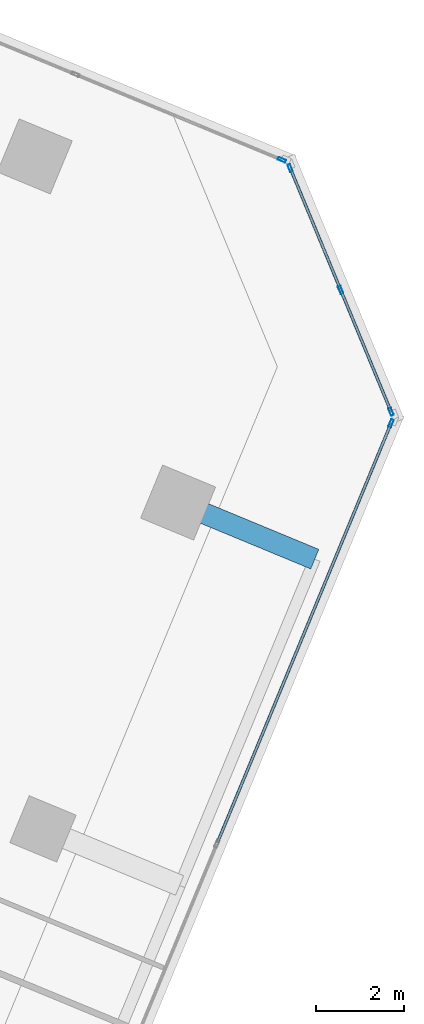
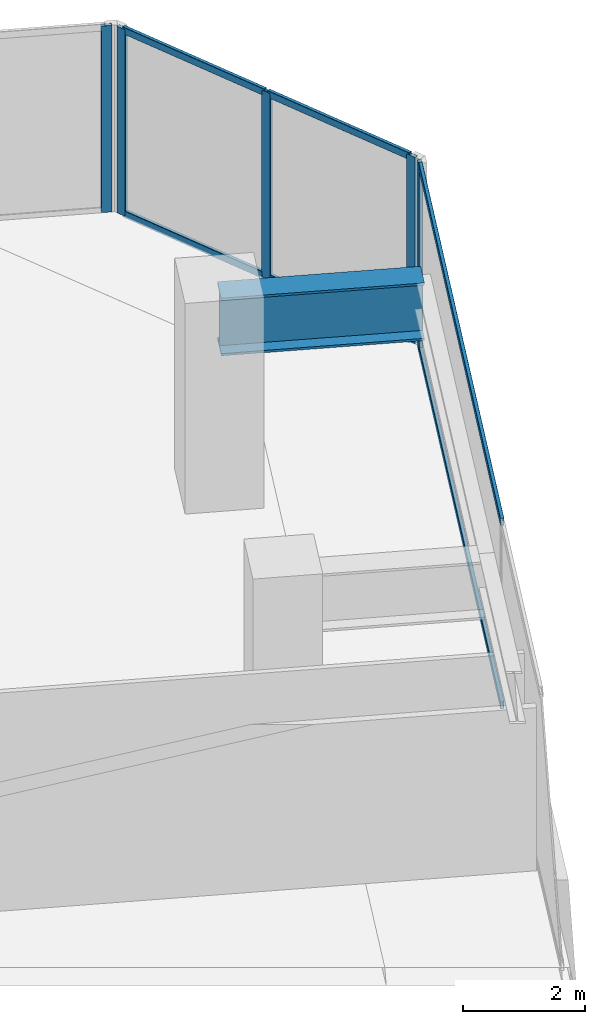
# One storey, part 11 of 24: 11 members, 1 beam, 3 elements without a shape of their own.
"""IFC4 building model written with IfcOpenShell, lengths in metres."""

from ifc_helpers import new_model, si_unit, direction, frame, origin, origin_2d, place, context, subcontext, project, spatial, hollow_rectangle, i_section, extrude, source, transform, mapped, material, material_profile, profile_set, type_object, element, aggregate, save


model = new_model("IFC4")

# Units and contexts
model_context = context("Model", 3, precision=1e-05, world=origin(), true_north=direction((0.0, 1.0)))
body_context = subcontext(model_context, "Body", "Model", "MODEL_VIEW")
ifc_project = project(units=[si_unit("LENGTHUNIT", "METRE"), si_unit("AREAUNIT", "SQUARE_METRE"), si_unit("VOLUMEUNIT", "CUBIC_METRE"), si_unit("PLANEANGLEUNIT", "RADIAN"), si_unit("MASSUNIT", "GRAM", prefix="KILO")], contexts=[model_context])

# Site, building, storey
site_placement = place(None, origin())
site = spatial("IfcSite", under=ifc_project, at=site_placement, CompositionType="ELEMENT")
building_placement = place(site_placement, origin())
building = spatial("IfcBuilding", under=site, at=building_placement, Name="Torre Montelarca", CompositionType="ELEMENT")
storey_placement = place(building_placement, frame((0.0, 0.0, 141.39990234375)))
storey = spatial("IfcBuildingStorey", under=building, at=storey_placement, Name="L31", CompositionType="ELEMENT", Elevation=141.39990234375)

# Beam
ifc_material_1 = material(Name="Steel ASTM A572 Grade 50", Category="steel")
ifc_material_profile_1 = material_profile(ifc_material_1, i_section(OverallWidth=0.47998046875, OverallDepth=1.14990234375, WebThickness=0.02197265625, FlangeThickness=0.044921875, at=origin_2d()), Name="PG1150X480X22X45", Category="steel")
ifc_profile_set_1 = profile_set([ifc_material_profile_1], Name="Steel ASTM A572 Grade 50")
beam_type = type_object("IfcBeamType", Name="BM-CG-PG1400-EXT", PredefinedType="USERDEFINED", material=ifc_profile_set_1)
shared_shape_1 = source(origin(), body_context, "Body", "SweptSolid", [
    extrude(i_section(OverallWidth=0.47998046875, OverallDepth=1.14990234375, WebThickness=0.02197265625, FlangeThickness=0.044921875, at=origin_2d()), origin(), (0.0, 0.0, 1.0), 3.35009765625),
])
beam_placement = place(storey_placement, frame((49.044189453125, 29.25, 3.385009765625), z_axis=(0.923889826287, -0.382658580047, 0.0), x_axis=(0.382658580047, 0.923889826287, 0.0)))
element("IfcBeam", 1, at=beam_placement, inside=storey, type_object=beam_type, Name="L31 Sliding Tray Cantilever Girder East Y=40m (FLR)", ObjectType="CANTILEVER GIRDER", PredefinedType="USERDEFINED", context=body_context, shape_type="MappedRepresentation", body=[
    mapped(shared_shape_1, transform((0.0, 0.0, 0.0), scale=1.0)),
])

# Curtain wall, members
ifc_material_2 = material(Name="Insulated low-E laminated glass", Category="glass")
curtain_wall_type = type_object("IfcCurtainWallType", Name="CW-SYS-Z2", PredefinedType="USERDEFINED", material=ifc_material_2)
curtain_wall_1_placement = place(storey_placement, origin())
curtain_wall_1 = element("IfcCurtainWall", 2, at=curtain_wall_1_placement, inside=storey, type_object=curtain_wall_type, Name="L31 Curtain Wall Run CW-T3-L31-E07-B1", ObjectType="UNITISED GLAZING", PredefinedType="USERDEFINED")
ifc_material_3 = material(Name="Anodised aluminium AA 6063-T6", Category="aluminium")
ifc_material_profile_2 = material_profile(ifc_material_3, hollow_rectangle(XDim=0.06494140625, YDim=0.139892578125, WallThickness=0.00390625, InnerFilletRadius=0.00390625, OuterFilletRadius=0.008056640625, at=origin_2d()), Name="ALU65X140X4", Category="aluminium")
ifc_profile_set_2 = profile_set([ifc_material_profile_2], Name="Anodised aluminium AA 6063-T6")
member_type_1 = type_object("IfcMemberType", Name="CWT-ALU140", PredefinedType="USERDEFINED", material=ifc_profile_set_2)
shared_shape_2 = source(origin(), body_context, "Body", "SweptSolid", [
    extrude(hollow_rectangle(XDim=0.06494140625, YDim=0.139892578125, WallThickness=0.00390625, InnerFilletRadius=0.00390625, OuterFilletRadius=0.008056640625, at=origin_2d()), origin(), (0.0, 0.0, 1.0), 2.918701171875),
])
member_1_placement = place(storey_placement, frame((53.854736328125, 31.33935546875, 0.03271484375), z_axis=(-0.382612831859, 0.923908773038, 0.0), x_axis=(-0.923908773038, -0.382612831859, 0.0)))
member_1 = element("IfcMember", 3, at=member_1_placement, type_object=member_type_1, Name="CW transom 1.1", ObjectType="TRANSOM", PredefinedType="USERDEFINED", context=body_context, shape_type="MappedRepresentation", body=[
    mapped(shared_shape_2, transform((0.0, 0.0, 0.0), scale=1.0)),
])
member_2_placement = place(storey_placement, frame((53.854736328125, 31.33935546875, 3.6875), z_axis=(-0.382612831859, 0.923908773038, 0.0), x_axis=(-0.923908773038, -0.382612831859, 0.0)))
member_2 = element("IfcMember", 4, at=member_2_placement, type_object=member_type_1, Name="CW transom 1.2", ObjectType="TRANSOM", PredefinedType="USERDEFINED", context=body_context, shape_type="MappedRepresentation", body=[
    mapped(shared_shape_2, transform((0.0, 0.0, 0.0), scale=1.0)),
])
shared_shape_3 = source(origin(), body_context, "Body", "SweptSolid", [
    extrude(hollow_rectangle(XDim=0.06494140625, YDim=0.139892578125, WallThickness=0.00390625, InnerFilletRadius=0.00390625, OuterFilletRadius=0.008056640625, at=origin_2d()), origin(), (0.0, 0.0, 1.0), 2.91845703125),
])
member_3_placement = place(storey_placement, frame((52.713134765625, 34.095947265625, 0.03271484375), z_axis=(-0.382713808028, 0.923866949915, 0.0), x_axis=(-0.923866949915, -0.382713808028, 0.0)))
member_3 = element("IfcMember", 5, at=member_3_placement, type_object=member_type_1, Name="CW transom 2.1", ObjectType="TRANSOM", PredefinedType="USERDEFINED", context=body_context, shape_type="MappedRepresentation", body=[
    mapped(shared_shape_3, transform((0.0, 0.0, 0.0), scale=1.0)),
])
member_4_placement = place(storey_placement, frame((52.713134765625, 34.095947265625, 3.6875), z_axis=(-0.382713808028, 0.923866949915, 0.0), x_axis=(-0.923866949915, -0.382713808028, 0.0)))
member_4 = element("IfcMember", 6, at=member_4_placement, type_object=member_type_1, Name="CW transom 2.2", ObjectType="TRANSOM", PredefinedType="USERDEFINED", context=body_context, shape_type="MappedRepresentation", body=[
    mapped(shared_shape_3, transform((0.0, 0.0, 0.0), scale=1.0)),
])

# Curtain wall, member
curtain_wall_2_placement = place(storey_placement, origin())
curtain_wall_2 = element("IfcCurtainWall", 7, at=curtain_wall_2_placement, inside=storey, type_object=curtain_wall_type, Name="L31 Curtain Wall Run CW-T3-L31-E06-B1", ObjectType="UNITISED GLAZING", PredefinedType="USERDEFINED")
ifc_material_profile_3 = material_profile(ifc_material_3, hollow_rectangle(XDim=0.06494140625, YDim=0.179931640625, WallThickness=0.00390625, InnerFilletRadius=0.00390625, OuterFilletRadius=0.008056640625, at=origin_2d()), Name="ALU65X180X4", Category="aluminium")
ifc_profile_set_3 = profile_set([ifc_material_profile_3], Name="Anodised aluminium AA 6063-T6")
member_type_2 = type_object("IfcMemberType", Name="CWM-ALU180", PredefinedType="MULLION", material=ifc_profile_set_3)
shared_shape_4 = source(origin(), body_context, "Body", "SweptSolid", [
    extrude(hollow_rectangle(XDim=0.06494140625, YDim=0.179931640625, WallThickness=0.00390625, InnerFilletRadius=0.00390625, OuterFilletRadius=0.008056640625, at=origin_2d()), origin(), (0.0, 0.0, 1.0), 3.72021484375),
])
member_5_placement = place(storey_placement, frame((53.8671875, 31.042236328125, 0.0), z_axis=(0.0, 0.0, 1.0), x_axis=(-0.923881379508, 0.38267897329, 0.0)))
member_5 = element("IfcMember", 8, at=member_5_placement, type_object=member_type_2, Name="CW mullion 3", PredefinedType="MULLION", context=body_context, shape_type="MappedRepresentation", body=[
    mapped(shared_shape_4, transform((0.0, 0.0, 0.0), scale=1.0)),
])

# Member
member_6_placement = place(storey_placement, frame((53.8671875, 31.309326171875, 0.0), z_axis=(0.0, 0.0, 1.0), x_axis=(-0.923886107621, -0.38266755826, 0.0)))
member_6 = element("IfcMember", 9, at=member_6_placement, type_object=member_type_2, Name="CW mullion 1", PredefinedType="MULLION", context=body_context, shape_type="MappedRepresentation", body=[
    mapped(shared_shape_4, transform((0.0, 0.0, 0.0), scale=1.0)),
])

member_7_placement = place(storey_placement, frame((52.7255859375, 34.06591796875, 0.0), z_axis=(0.0, 0.0, 1.0), x_axis=(-0.923886107621, -0.38266755826, 0.0)))
member_7 = element("IfcMember", 10, at=member_7_placement, type_object=member_type_2, Name="CW mullion 2", PredefinedType="MULLION", context=body_context, shape_type="MappedRepresentation", body=[
    mapped(shared_shape_4, transform((0.0, 0.0, 0.0), scale=1.0)),
])

member_8_placement = place(storey_placement, frame((51.583740234375, 36.822265625, 0.0), z_axis=(0.0, 0.0, 1.0), x_axis=(-0.923886107621, -0.38266755826, 0.0)))
member_8 = element("IfcMember", 11, at=member_8_placement, type_object=member_type_2, Name="CW mullion 3", PredefinedType="MULLION", context=body_context, shape_type="MappedRepresentation", body=[
    mapped(shared_shape_4, transform((0.0, 0.0, 0.0), scale=1.0)),
])

aggregate(curtain_wall_1, [member_6, member_7, member_8, member_1, member_2, member_3, member_4])

# Curtain wall, member
curtain_wall_3_placement = place(storey_placement, origin())
curtain_wall_3 = element("IfcCurtainWall", 12, at=curtain_wall_3_placement, inside=storey, type_object=curtain_wall_type, Name="L31 Curtain Wall Run CW-T3-L31-E08-B1", ObjectType="UNITISED GLAZING", PredefinedType="USERDEFINED")
member_9_placement = place(storey_placement, frame((51.39501953125, 37.01123046875, 0.0), z_axis=(0.0, 0.0, 1.0), x_axis=(-0.382680914615, -0.923880575394, 0.0)))
member_9 = element("IfcMember", 13, at=member_9_placement, type_object=member_type_2, Name="CW mullion 1", PredefinedType="MULLION", context=body_context, shape_type="MappedRepresentation", body=[
    mapped(shared_shape_4, transform((0.0, 0.0, 0.0), scale=1.0)),
])
aggregate(curtain_wall_3, [member_9])

# Member
shared_shape_5 = source(origin(), body_context, "Body", "SweptSolid", [
    extrude(hollow_rectangle(XDim=0.06494140625, YDim=0.139892578125, WallThickness=0.00390625, InnerFilletRadius=0.00390625, OuterFilletRadius=0.008056640625, at=origin_2d()), origin(), (0.0, 0.0, 1.0), 10.236328125),
])
member_10_placement = place(storey_placement, frame((49.9375, 21.554931640625, 0.03271484375), z_axis=(0.382675477391, 0.923882827529, 0.0), x_axis=(-0.923882827529, 0.382675477391, 0.0)))
member_10 = element("IfcMember", 14, at=member_10_placement, type_object=member_type_1, Name="CW transom 2.1", ObjectType="TRANSOM", PredefinedType="USERDEFINED", context=body_context, shape_type="MappedRepresentation", body=[
    mapped(shared_shape_5, transform((0.0, 0.0, 0.0), scale=1.0)),
])

member_11_placement = place(storey_placement, frame((49.9375, 21.554931640625, 3.6875), z_axis=(0.382675477391, 0.923882827529, 0.0), x_axis=(-0.923882827529, 0.382675477391, 0.0)))
member_11 = element("IfcMember", 15, at=member_11_placement, type_object=member_type_1, Name="CW transom 2.2", ObjectType="TRANSOM", PredefinedType="USERDEFINED", context=body_context, shape_type="MappedRepresentation", body=[
    mapped(shared_shape_5, transform((0.0, 0.0, 0.0), scale=1.0)),
])

aggregate(curtain_wall_2, [member_5, member_10, member_11])

save(model, "model.ifc")
